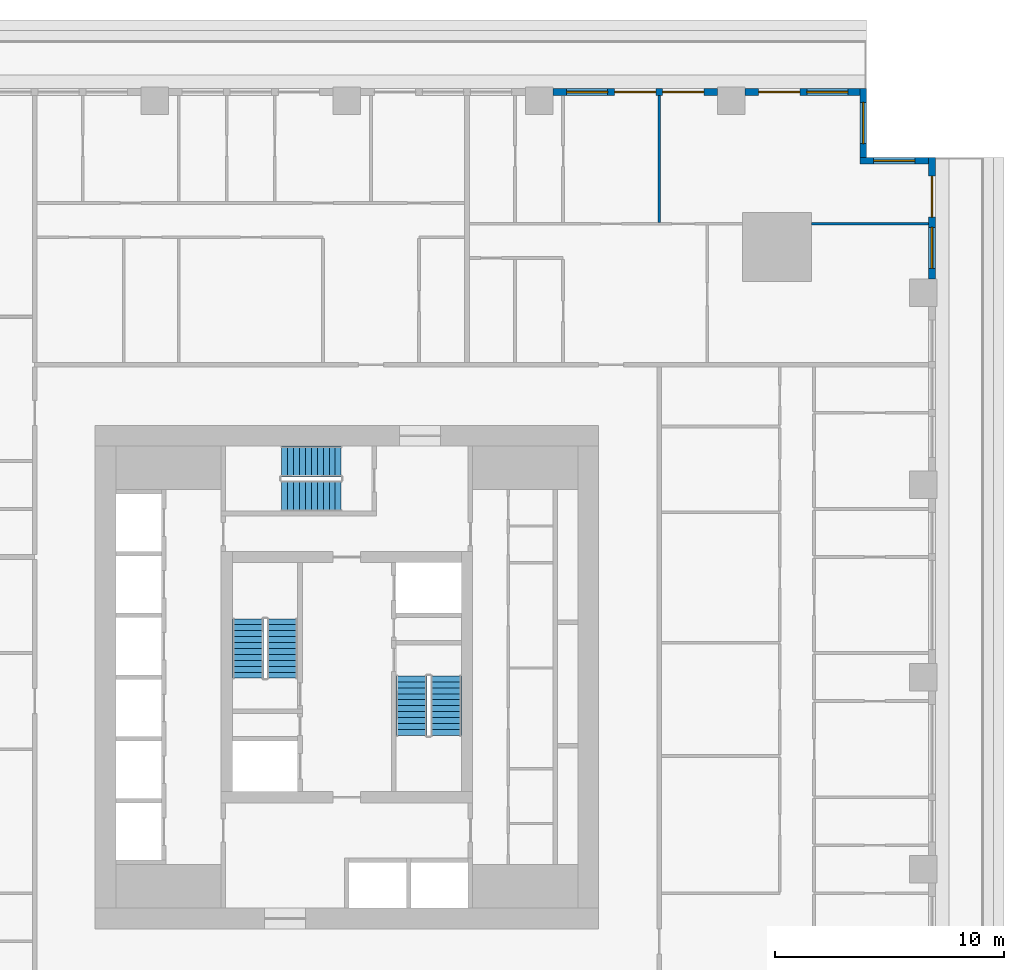
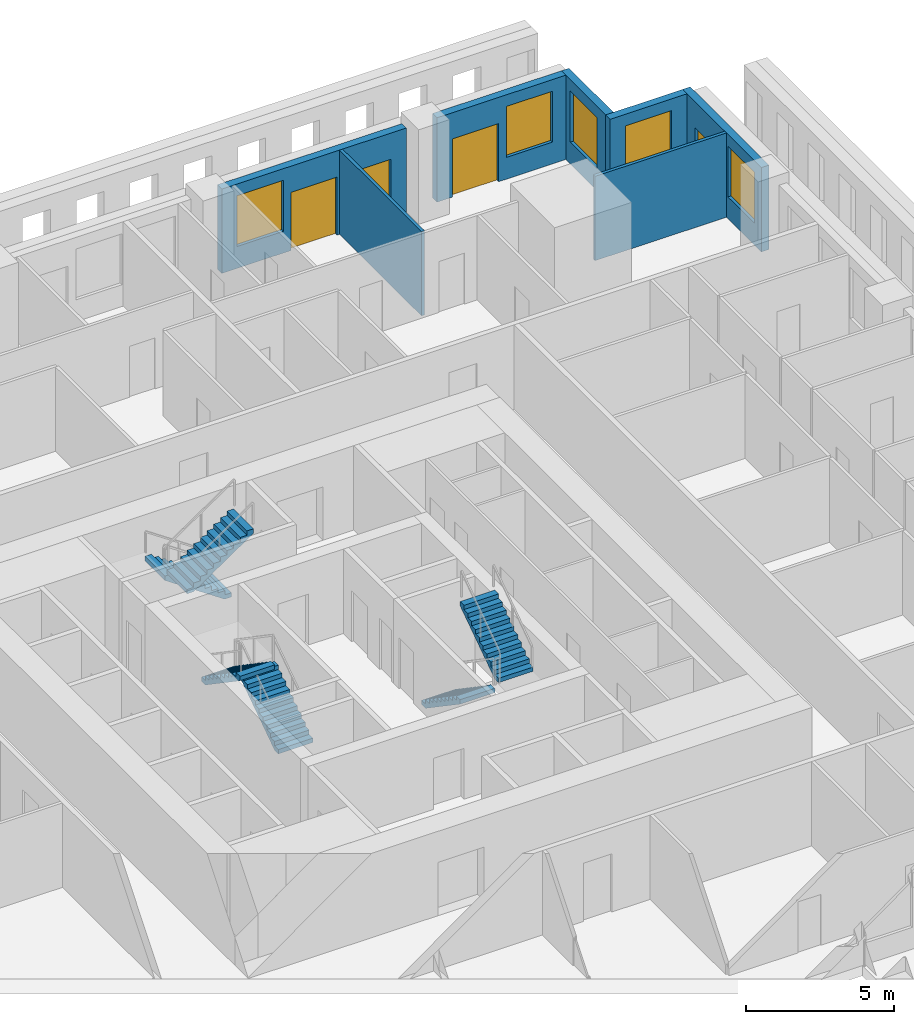
# One storey, part 10 of 15: 7 walls, 6 stair flights, 5 windows, 4 doors, 9 openings, 3 elements without a shape of their own.
"""IFC4 building model written with IfcOpenShell, lengths in metres."""

from ifc_helpers import new_model, si_unit, direction, frame, frame_2d, origin, place, context, subcontext, project, spatial, polyline, rectangle, outline, extrude, material, layer, layer_set, type_object, element, fill, aggregate, save


model = new_model("IFC4")

# Units and contexts
model_context = context("Model", 3, precision=1e-05, world=origin(), true_north=direction((0.0, 1.0)))
body_context = subcontext(model_context, "Body", "Model", "MODEL_VIEW")
ifc_project = project(units=[si_unit("LENGTHUNIT", "METRE"), si_unit("AREAUNIT", "SQUARE_METRE"), si_unit("VOLUMEUNIT", "CUBIC_METRE"), si_unit("PLANEANGLEUNIT", "RADIAN"), si_unit("MASSUNIT", "GRAM", prefix="KILO")], contexts=[model_context])

# Site, building, storey
site_placement = place(None, origin())
site = spatial("IfcSite", under=ifc_project, at=site_placement, CompositionType="ELEMENT")
building_placement = place(site_placement, origin())
building = spatial("IfcBuilding", under=site, at=building_placement, Name="Khepri Terraces", CompositionType="ELEMENT")
storey_placement = place(building_placement, frame((0.0, 0.0, 50.39990234375)))
storey = spatial("IfcBuildingStorey", under=building, at=storey_placement, Name="L11", CompositionType="ELEMENT", Elevation=50.39990234375)

# Wall, openings, door, window
ifc_material_1 = material(Name="Precast concrete C50/60 warm stone", Category="masonry")
ifc_layer_1 = layer(ifc_material_1, 0.300048828125, Name="Precast concrete C50/60 warm stone", Category="masonry")
ifc_layer_set_1 = layer_set([ifc_layer_1], Name="Precast concrete C50/60 warm stone")
wall_type_1 = type_object("IfcWallType", Name="WL-EXT-PRECAST-300", PredefinedType="STANDARD", material=ifc_layer_set_1)
wall_1_placement = place(storey_placement, frame((25.570068359375, 17.39990234375, 0.0), z_axis=(0.0, 0.0, 1.0), x_axis=(0.0, 1.0, 0.0)))
wall_1 = element("IfcWall", 1, at=wall_1_placement, inside=storey, type_object=wall_type_1, Name="External wall L11 E", PredefinedType="STANDARD", context=body_context, shape_type="SweptSolid", body=[
    extrude(rectangle(XDim=5.320068359375, YDim=0.300048828125, at=frame_2d((2.66015625, 0.0))), origin(), (0.0, 0.0, 1.0), 3.47998046875),
])
opening_1_placement = place(wall_1_placement, frame((2.699951171875, 0.0, 0.0)))
opening_1 = element("IfcOpeningElement", 2, at=opening_1_placement, cuts=wall_1, Name="Opening ED-L11-04", PredefinedType="OPENING", context=body_context, shape_type="SweptSolid", body=[
    extrude(rectangle(XDim=1.800048828125, YDim=2.39990234375, at=frame_2d((0.89990234375, 1.199951171875))), frame((0.0, 0.16015625, 0.0), z_axis=(0.0, -1.0, 0.0), x_axis=(1.0, 0.0, 0.0)), (0.0, 0.0, 1.0), 0.320068359375),
])
opening_2_placement = place(wall_1_placement, frame((0.4599609375, 0.0, 0.89990234375)))
opening_2 = element("IfcOpeningElement", 3, at=opening_2_placement, cuts=wall_1, Name="Opening W1", PredefinedType="OPENING", context=body_context, shape_type="SweptSolid", body=[
    extrude(rectangle(XDim=1.800048828125, YDim=2.10009765625, at=frame_2d((0.89990234375, 1.050048828125))), frame((0.0, 0.16015625, 0.0), z_axis=(0.0, -1.0, 0.0), x_axis=(1.0, 0.0, 0.0)), (0.0, 0.0, 1.0), 0.320068359375),
])
ifc_material_2 = material(Name="Anodised aluminium bronze glazed door", Category="aluminium")
door_type = type_object("IfcDoorType", Name="DR-BAL-SLIDE-1800x2400", OperationType="NOTDEFINED", PredefinedType="DOOR", material=ifc_material_2)
door_1_placement = place(opening_1_placement, origin())
door_1 = element("IfcDoor", 4, at=door_1_placement, inside=storey, type_object=door_type, Name="Balcony door L11 E", OperationType="SLIDING_TO_LEFT", OverallHeight=2.39990234375, OverallWidth=1.800048828125, PredefinedType="DOOR", context=body_context, shape_type="SweptSolid", body=[
    extrude(rectangle(XDim=1.800048828125, YDim=2.39990234375, at=frame_2d((0.89990234375, 1.199951171875))), frame((0.0, 0.02490234375, 0.0), z_axis=(0.0, -1.0, 0.0), x_axis=(1.0, 0.0, 0.0)), (0.0, 0.0, 1.0), 0.050048828125),
])
fill(opening_1, door_1)
ifc_material_3 = material(Name="Clear glass", Category="glass")
window_type = type_object("IfcWindowType", Name="WIN-RES-1800x2100", PartitioningType="SINGLE_PANEL", PredefinedType="WINDOW", material=ifc_material_3)
window_1_placement = place(opening_2_placement, origin())
window_1 = element("IfcWindow", 5, at=window_1_placement, inside=storey, type_object=window_type, Name="Window L11 E", OverallHeight=2.10009765625, OverallWidth=1.800048828125, PartitioningType="SINGLE_PANEL", PredefinedType="WINDOW", context=body_context, shape_type="SweptSolid", body=[
    extrude(rectangle(XDim=1.800048828125, YDim=2.10009765625, at=frame_2d((0.89990234375, 1.050048828125))), frame((0.0, 0.030029296875, 0.0), z_axis=(0.0, -1.0, 0.0), x_axis=(1.0, 0.0, 0.0)), (0.0, 0.0, 1.0), 0.06005859375),
])
fill(opening_2, window_1)

# Wall, opening, window
wall_2_placement = place(storey_placement, frame((25.419921875, 22.570068359375, 0.0), z_axis=(0.0, 0.0, 1.0), x_axis=(-1.0, 0.0, 0.0)))
wall_2 = element("IfcWall", 6, at=wall_2_placement, inside=storey, type_object=wall_type_1, Name="External wall L11 N", PredefinedType="STANDARD", context=body_context, shape_type="SweptSolid", body=[
    extrude(rectangle(XDim=3.0, YDim=0.300048828125, at=frame_2d((1.5, 0.0))), origin(), (0.0, 0.0, 1.0), 3.47998046875),
])
opening_3_placement = place(wall_2_placement, frame((0.60009765625, 0.0, 0.89990234375)))
opening_3 = element("IfcOpeningElement", 7, at=opening_3_placement, cuts=wall_2, Name="Opening W1", PredefinedType="OPENING", context=body_context, shape_type="SweptSolid", body=[
    extrude(rectangle(XDim=1.800048828125, YDim=2.10009765625, at=frame_2d((0.89990234375, 1.050048828125))), frame((0.0, 0.16015625, 0.0), z_axis=(0.0, -1.0, 0.0), x_axis=(1.0, 0.0, 0.0)), (0.0, 0.0, 1.0), 0.320068359375),
])
window_2_placement = place(opening_3_placement, origin())
window_2 = element("IfcWindow", 8, at=window_2_placement, inside=storey, type_object=window_type, Name="Window L11 N", OverallHeight=2.10009765625, OverallWidth=1.800048828125, PartitioningType="SINGLE_PANEL", PredefinedType="WINDOW", context=body_context, shape_type="SweptSolid", body=[
    extrude(rectangle(XDim=1.800048828125, YDim=2.10009765625, at=frame_2d((0.89990234375, 1.050048828125))), frame((0.0, 0.030029296875, 0.0), z_axis=(0.0, -1.0, 0.0), x_axis=(1.0, 0.0, 0.0)), (0.0, 0.0, 1.0), 0.06005859375),
])
fill(opening_3, window_2)

wall_3_placement = place(storey_placement, frame((22.570068359375, 22.719970703125, 0.0), z_axis=(0.0, 0.0, 1.0), x_axis=(0.0, 1.0, 0.0)))
wall_3 = element("IfcWall", 9, at=wall_3_placement, inside=storey, type_object=wall_type_1, Name="External wall L11 E", PredefinedType="STANDARD", context=body_context, shape_type="SweptSolid", body=[
    extrude(rectangle(XDim=3.0, YDim=0.300048828125, at=frame_2d((1.5, 0.0))), origin(), (0.0, 0.0, 1.0), 3.47998046875),
])
opening_4_placement = place(wall_3_placement, frame((0.60009765625, 0.0, 0.89990234375)))
opening_4 = element("IfcOpeningElement", 10, at=opening_4_placement, cuts=wall_3, Name="Opening W1", PredefinedType="OPENING", context=body_context, shape_type="SweptSolid", body=[
    extrude(rectangle(XDim=1.800048828125, YDim=2.10009765625, at=frame_2d((0.89990234375, 1.050048828125))), frame((0.0, 0.16015625, 0.0), z_axis=(0.0, -1.0, 0.0), x_axis=(1.0, 0.0, 0.0)), (0.0, 0.0, 1.0), 0.320068359375),
])
window_3_placement = place(opening_4_placement, origin())
window_3 = element("IfcWindow", 11, at=window_3_placement, inside=storey, type_object=window_type, Name="Window L11 E", OverallHeight=2.10009765625, OverallWidth=1.800048828125, PartitioningType="SINGLE_PANEL", PredefinedType="WINDOW", context=body_context, shape_type="SweptSolid", body=[
    extrude(rectangle(XDim=1.800048828125, YDim=2.10009765625, at=frame_2d((0.89990234375, 1.050048828125))), frame((0.0, 0.030029296875, 0.0), z_axis=(0.0, -1.0, 0.0), x_axis=(1.0, 0.0, 0.0)), (0.0, 0.0, 1.0), 0.06005859375),
])
fill(opening_4, window_3)

# Wall, openings, door, window
wall_4_placement = place(storey_placement, frame((22.419921875, 25.570068359375, 0.0), z_axis=(0.0, 0.0, 1.0), x_axis=(-1.0, 0.0, 0.0)))
wall_4 = element("IfcWall", 12, at=wall_4_placement, inside=storey, type_object=wall_type_1, Name="External wall L11 N", PredefinedType="STANDARD", context=body_context, shape_type="SweptSolid", body=[
    extrude(rectangle(XDim=5.02001953125, YDim=0.300048828125, at=frame_2d((2.510009765625, 0.0))), origin(), (0.0, 0.0, 1.0), 3.47998046875),
])
opening_5_placement = place(wall_4_placement, frame((0.52001953125, 0.0, 0.89990234375)))
opening_5 = element("IfcOpeningElement", 13, at=opening_5_placement, cuts=wall_4, Name="Opening W1", PredefinedType="OPENING", context=body_context, shape_type="SweptSolid", body=[
    extrude(rectangle(XDim=1.800048828125, YDim=2.10009765625, at=frame_2d((0.89990234375, 1.050048828125))), frame((0.0, 0.16015625, 0.0), z_axis=(0.0, -1.0, 0.0), x_axis=(1.0, 0.0, 0.0)), (0.0, 0.0, 1.0), 0.320068359375),
])
opening_6_placement = place(wall_4_placement, frame((2.6201171875, 0.0, 0.0)))
opening_6 = element("IfcOpeningElement", 14, at=opening_6_placement, cuts=wall_4, Name="Opening ED-L11-05", PredefinedType="OPENING", context=body_context, shape_type="SweptSolid", body=[
    extrude(rectangle(XDim=1.800048828125, YDim=2.39990234375, at=frame_2d((0.89990234375, 1.199951171875))), frame((0.0, 0.16015625, 0.0), z_axis=(0.0, -1.0, 0.0), x_axis=(1.0, 0.0, 0.0)), (0.0, 0.0, 1.0), 0.320068359375),
])
door_2_placement = place(opening_6_placement, origin())
door_2 = element("IfcDoor", 15, at=door_2_placement, inside=storey, type_object=door_type, Name="Balcony door L11 N", OperationType="SLIDING_TO_RIGHT", OverallHeight=2.39990234375, OverallWidth=1.800048828125, PredefinedType="DOOR", context=body_context, shape_type="SweptSolid", body=[
    extrude(rectangle(XDim=1.800048828125, YDim=2.39990234375, at=frame_2d((0.89990234375, 1.199951171875))), frame((0.0, 0.02490234375, 0.0), z_axis=(0.0, -1.0, 0.0), x_axis=(1.0, 0.0, 0.0)), (0.0, 0.0, 1.0), 0.050048828125),
])
fill(opening_6, door_2)
window_4_placement = place(opening_5_placement, origin())
window_4 = element("IfcWindow", 16, at=window_4_placement, inside=storey, type_object=window_type, Name="Window L11 N", OverallHeight=2.10009765625, OverallWidth=1.800048828125, PartitioningType="SINGLE_PANEL", PredefinedType="WINDOW", context=body_context, shape_type="SweptSolid", body=[
    extrude(rectangle(XDim=1.800048828125, YDim=2.10009765625, at=frame_2d((0.89990234375, 1.050048828125))), frame((0.0, 0.030029296875, 0.0), z_axis=(0.0, -1.0, 0.0), x_axis=(1.0, 0.0, 0.0)), (0.0, 0.0, 1.0), 0.06005859375),
])
fill(opening_5, window_4)

# Wall, openings, doors, window
wall_5_placement = place(storey_placement, frame((16.199951171875, 25.570068359375, 0.0), z_axis=(0.0, 0.0, 1.0), x_axis=(-1.0, 0.0, 0.0)))
wall_5 = element("IfcWall", 17, at=wall_5_placement, inside=storey, type_object=wall_type_1, Name="External wall L11 N", PredefinedType="STANDARD", context=body_context, shape_type="SweptSolid", body=[
    extrude(rectangle(XDim=7.199951171875, YDim=0.300048828125, at=frame_2d((3.60009765625, 0.0))), origin(), (0.0, 0.0, 1.0), 3.47998046875),
])
opening_7_placement = place(wall_5_placement, frame((0.60009765625, 0.0, 0.0)))
opening_7 = element("IfcOpeningElement", 18, at=opening_7_placement, cuts=wall_5, Name="Opening ED-L11-06", PredefinedType="OPENING", context=body_context, shape_type="SweptSolid", body=[
    extrude(rectangle(XDim=1.800048828125, YDim=2.39990234375, at=frame_2d((0.89990234375, 1.199951171875))), frame((0.0, 0.16015625, 0.0), z_axis=(0.0, -1.0, 0.0), x_axis=(1.0, 0.0, 0.0)), (0.0, 0.0, 1.0), 0.320068359375),
])
opening_8_placement = place(wall_5_placement, frame((2.699951171875, 0.0, 0.0)))
opening_8 = element("IfcOpeningElement", 19, at=opening_8_placement, cuts=wall_5, Name="Opening ED-L11-07", PredefinedType="OPENING", context=body_context, shape_type="SweptSolid", body=[
    extrude(rectangle(XDim=1.800048828125, YDim=2.39990234375, at=frame_2d((0.89990234375, 1.199951171875))), frame((0.0, 0.16015625, 0.0), z_axis=(0.0, -1.0, 0.0), x_axis=(1.0, 0.0, 0.0)), (0.0, 0.0, 1.0), 0.320068359375),
])
opening_9_placement = place(wall_5_placement, frame((4.800048828125, 0.0, 0.89990234375)))
opening_9 = element("IfcOpeningElement", 20, at=opening_9_placement, cuts=wall_5, Name="Opening W1", PredefinedType="OPENING", context=body_context, shape_type="SweptSolid", body=[
    extrude(rectangle(XDim=1.800048828125, YDim=2.10009765625, at=frame_2d((0.89990234375, 1.050048828125))), frame((0.0, 0.16015625, 0.0), z_axis=(0.0, -1.0, 0.0), x_axis=(1.0, 0.0, 0.0)), (0.0, 0.0, 1.0), 0.320068359375),
])
door_3_placement = place(opening_7_placement, origin())
door_3 = element("IfcDoor", 21, at=door_3_placement, inside=storey, type_object=door_type, Name="Balcony door L11 N", OperationType="SLIDING_TO_LEFT", OverallHeight=2.39990234375, OverallWidth=1.800048828125, PredefinedType="DOOR", context=body_context, shape_type="SweptSolid", body=[
    extrude(rectangle(XDim=1.800048828125, YDim=2.39990234375, at=frame_2d((0.89990234375, 1.199951171875))), frame((0.0, 0.02490234375, 0.0), z_axis=(0.0, -1.0, 0.0), x_axis=(1.0, 0.0, 0.0)), (0.0, 0.0, 1.0), 0.050048828125),
])
fill(opening_7, door_3)
door_4_placement = place(opening_8_placement, origin())
door_4 = element("IfcDoor", 22, at=door_4_placement, inside=storey, type_object=door_type, Name="Balcony door L11 N", OperationType="SLIDING_TO_RIGHT", OverallHeight=2.39990234375, OverallWidth=1.800048828125, PredefinedType="DOOR", context=body_context, shape_type="SweptSolid", body=[
    extrude(rectangle(XDim=1.800048828125, YDim=2.39990234375, at=frame_2d((0.89990234375, 1.199951171875))), frame((0.0, 0.02490234375, 0.0), z_axis=(0.0, -1.0, 0.0), x_axis=(1.0, 0.0, 0.0)), (0.0, 0.0, 1.0), 0.050048828125),
])
fill(opening_8, door_4)
window_5_placement = place(opening_9_placement, origin())
window_5 = element("IfcWindow", 23, at=window_5_placement, inside=storey, type_object=window_type, Name="Window L11 N", OverallHeight=2.10009765625, OverallWidth=1.800048828125, PartitioningType="SINGLE_PANEL", PredefinedType="WINDOW", context=body_context, shape_type="SweptSolid", body=[
    extrude(rectangle(XDim=1.800048828125, YDim=2.10009765625, at=frame_2d((0.89990234375, 1.050048828125))), frame((0.0, 0.030029296875, 0.0), z_axis=(0.0, -1.0, 0.0), x_axis=(1.0, 0.0, 0.0)), (0.0, 0.0, 1.0), 0.06005859375),
])
fill(opening_9, window_5)

# Walls
ifc_material_4 = material(Name="Gypsum plasterboard partition")
ifc_layer_2 = layer(ifc_material_4, 0.1201171875, Name="Gypsum plasterboard partition")
ifc_layer_set_2 = layer_set([ifc_layer_2], Name="Gypsum plasterboard partition")
wall_type_2 = type_object("IfcWallType", Name="WL-PART-120", PredefinedType="PARTITIONING", material=ifc_layer_set_2)
wall_6_placement = place(storey_placement, frame((20.300048828125, 19.820068359375, 0.0), z_axis=(0.0, 0.0, 1.0), x_axis=(1.0, 0.0, 0.0)))
element("IfcWall", 24, at=wall_6_placement, inside=storey, type_object=wall_type_2, Name="Partition P-099 L11", PredefinedType="PARTITIONING", context=body_context, shape_type="SweptSolid", body=[
    extrude(rectangle(XDim=5.119873046875, YDim=0.1201171875, at=frame_2d((2.56005859375, 0.0))), origin(), (0.0, 0.0, 1.0), 3.47998046875),
])
wall_7_placement = place(storey_placement, frame((13.64990234375, 19.8798828125, 0.0), z_axis=(0.0, 0.0, 1.0), x_axis=(0.0, 1.0, 0.0)))
element("IfcWall", 25, at=wall_7_placement, inside=storey, type_object=wall_type_2, Name="Partition P-102 L11", PredefinedType="PARTITIONING", context=body_context, shape_type="SweptSolid", body=[
    extrude(rectangle(XDim=5.5400390625, YDim=0.1201171875, at=frame_2d((2.77001953125, 0.0))), origin(), (0.0, 0.0, 1.0), 3.47998046875),
])

# Stair, stair flights
ifc_material_5 = material(Name="Concrete C40/50", Category="concrete")
stair_type = type_object("IfcStairType", Name="STAIR-RC-22R", PredefinedType="HALF_TURN_STAIR", material=ifc_material_5)
stair_1_placement = place(storey_placement, origin())
stair_1 = element("IfcStair", 26, at=stair_1_placement, inside=storey, type_object=stair_type, Name="L11 Exit Stair ST-1", PredefinedType="HALF_TURN_STAIR")
stair_flight_type = type_object("IfcStairFlightType", Name="SFL-RC-177.3", PredefinedType="STRAIGHT", material=ifc_material_5)
stair_flight_1_placement = place(storey_placement, frame((-2.824951171875, -0.050048828125, 0.0), z_axis=(0.0, 0.0, 1.0), x_axis=(0.0, 1.0, 0.0)))
stair_flight_1 = element("IfcStairFlight", 27, at=stair_flight_1_placement, type_object=stair_flight_type, Name="ST-1 flight 1", NumberOfRisers=11, NumberOfTreads=10, PredefinedType="STRAIGHT", RiserHeight=0.177272727, TreadLength=0.26, context=body_context, shape_type="SweptSolid", body=[
    extrude(outline(polyline([(0.0, 0.0), (0.0, 0.17724609375), (0.260009765625, 0.17724609375), (0.260009765625, 0.3544921875), (0.52001953125, 0.3544921875), (0.52001953125, 0.53173828125), (0.780029296875, 0.53173828125), (0.780029296875, 0.708984375), (1.0400390625, 0.708984375), (1.0400390625, 0.886474609375), (1.300048828125, 0.886474609375), (1.300048828125, 1.063720703125), (1.56005859375, 1.063720703125), (1.56005859375, 1.240966796875), (1.820068359375, 1.240966796875), (1.820068359375, 1.418212890625), (2.080078125, 1.418212890625), (2.080078125, 1.595458984375), (2.340087890625, 1.595458984375), (2.340087890625, 1.772705078125), (2.60009765625, 1.772705078125), (2.60009765625, 1.949951171875), (2.60009765625, 1.59130859375), (0.26611328125, 0.0), (0.0, 0.0)])), frame((0.0, 0.675048828125, 0.0), z_axis=(0.0, -1.0, 0.0), x_axis=(1.0, 0.0, 0.0)), (0.0, 0.0, 1.0), 1.35009765625),
])
stair_flight_2_placement = place(storey_placement, frame((-4.324951171875, 2.550048828125, 1.9501953125), z_axis=(0.0, 0.0, 1.0), x_axis=(0.0, -1.0, 0.0)))
stair_flight_2 = element("IfcStairFlight", 28, at=stair_flight_2_placement, type_object=stair_flight_type, Name="ST-1 flight 2", NumberOfRisers=11, NumberOfTreads=10, PredefinedType="STRAIGHT", RiserHeight=0.177272727, TreadLength=0.26, context=body_context, shape_type="SweptSolid", body=[
    extrude(outline(polyline([(0.0, 0.0), (0.0, 0.17724609375), (0.260009765625, 0.17724609375), (0.260009765625, 0.3544921875), (0.52001953125, 0.3544921875), (0.52001953125, 0.53173828125), (0.780029296875, 0.53173828125), (0.780029296875, 0.708984375), (1.0400390625, 0.708984375), (1.0400390625, 0.886474609375), (1.300048828125, 0.886474609375), (1.300048828125, 1.063720703125), (1.56005859375, 1.063720703125), (1.56005859375, 1.240966796875), (1.820068359375, 1.240966796875), (1.820068359375, 1.418212890625), (2.080078125, 1.418212890625), (2.080078125, 1.595458984375), (2.340087890625, 1.595458984375), (2.340087890625, 1.772705078125), (2.60009765625, 1.772705078125), (2.60009765625, 1.949951171875), (2.60009765625, 1.59130859375), (0.26611328125, 0.0), (0.0, 0.0)])), frame((0.0, 0.675048828125, 0.0), z_axis=(0.0, -1.0, 0.0), x_axis=(1.0, 0.0, 0.0)), (0.0, 0.0, 1.0), 1.35009765625),
])
aggregate(stair_1, [stair_flight_1, stair_flight_2])

stair_2_placement = place(storey_placement, origin())
stair_2 = element("IfcStair", 29, at=stair_2_placement, inside=storey, type_object=stair_type, Name="L11 Exit Stair ST-2", PredefinedType="HALF_TURN_STAIR")
stair_flight_3_placement = place(storey_placement, frame((2.824951171875, 0.050048828125, 0.0), z_axis=(0.0, 0.0, 1.0), x_axis=(0.0, -1.0, 0.0)))
stair_flight_3 = element("IfcStairFlight", 30, at=stair_flight_3_placement, type_object=stair_flight_type, Name="ST-2 flight 1", NumberOfRisers=11, NumberOfTreads=10, PredefinedType="STRAIGHT", RiserHeight=0.177272727, TreadLength=0.26, context=body_context, shape_type="SweptSolid", body=[
    extrude(outline(polyline([(0.0, 0.0), (0.0, 0.17724609375), (0.260009765625, 0.17724609375), (0.260009765625, 0.3544921875), (0.52001953125, 0.3544921875), (0.52001953125, 0.53173828125), (0.780029296875, 0.53173828125), (0.780029296875, 0.708984375), (1.0400390625, 0.708984375), (1.0400390625, 0.886474609375), (1.300048828125, 0.886474609375), (1.300048828125, 1.063720703125), (1.56005859375, 1.063720703125), (1.56005859375, 1.240966796875), (1.820068359375, 1.240966796875), (1.820068359375, 1.418212890625), (2.080078125, 1.418212890625), (2.080078125, 1.595458984375), (2.340087890625, 1.595458984375), (2.340087890625, 1.772705078125), (2.60009765625, 1.772705078125), (2.60009765625, 1.949951171875), (2.60009765625, 1.59130859375), (0.26611328125, 0.0), (0.0, 0.0)])), frame((0.0, 0.675048828125, 0.0), z_axis=(0.0, -1.0, 0.0), x_axis=(1.0, 0.0, 0.0)), (0.0, 0.0, 1.0), 1.35009765625),
])
stair_flight_4_placement = place(storey_placement, frame((4.324951171875, -2.550048828125, 1.9501953125), z_axis=(0.0, 0.0, 1.0), x_axis=(0.0, 1.0, 0.0)))
stair_flight_4 = element("IfcStairFlight", 31, at=stair_flight_4_placement, type_object=stair_flight_type, Name="ST-2 flight 2", NumberOfRisers=11, NumberOfTreads=10, PredefinedType="STRAIGHT", RiserHeight=0.177272727, TreadLength=0.26, context=body_context, shape_type="SweptSolid", body=[
    extrude(outline(polyline([(0.0, 0.0), (0.0, 0.17724609375), (0.260009765625, 0.17724609375), (0.260009765625, 0.3544921875), (0.52001953125, 0.3544921875), (0.52001953125, 0.53173828125), (0.780029296875, 0.53173828125), (0.780029296875, 0.708984375), (1.0400390625, 0.708984375), (1.0400390625, 0.886474609375), (1.300048828125, 0.886474609375), (1.300048828125, 1.063720703125), (1.56005859375, 1.063720703125), (1.56005859375, 1.240966796875), (1.820068359375, 1.240966796875), (1.820068359375, 1.418212890625), (2.080078125, 1.418212890625), (2.080078125, 1.595458984375), (2.340087890625, 1.595458984375), (2.340087890625, 1.772705078125), (2.60009765625, 1.772705078125), (2.60009765625, 1.949951171875), (2.60009765625, 1.59130859375), (0.26611328125, 0.0), (0.0, 0.0)])), frame((0.0, 0.675048828125, 0.0), z_axis=(0.0, -1.0, 0.0), x_axis=(1.0, 0.0, 0.0)), (0.0, 0.0, 1.0), 1.35009765625),
])
aggregate(stair_2, [stair_flight_3, stair_flight_4])

stair_3_placement = place(storey_placement, origin())
stair_3 = element("IfcStair", 32, at=stair_3_placement, inside=storey, type_object=stair_type, Name="L11 Exit Stair ST-3", PredefinedType="HALF_TURN_STAIR")
stair_flight_5_placement = place(storey_placement, frame((-0.25, 9.425048828125, 0.0), z_axis=(0.0, 0.0, 1.0), x_axis=(-1.0, 0.0, 0.0)))
stair_flight_5 = element("IfcStairFlight", 33, at=stair_flight_5_placement, type_object=stair_flight_type, Name="ST-3 flight 1", NumberOfRisers=11, NumberOfTreads=10, PredefinedType="STRAIGHT", RiserHeight=0.177272727, TreadLength=0.26, context=body_context, shape_type="SweptSolid", body=[
    extrude(outline(polyline([(0.0, 0.0), (0.0, 0.17724609375), (0.260009765625, 0.17724609375), (0.260009765625, 0.3544921875), (0.52001953125, 0.3544921875), (0.52001953125, 0.53173828125), (0.780029296875, 0.53173828125), (0.780029296875, 0.708984375), (1.0400390625, 0.708984375), (1.0400390625, 0.886474609375), (1.300048828125, 0.886474609375), (1.300048828125, 1.063720703125), (1.56005859375, 1.063720703125), (1.56005859375, 1.240966796875), (1.820068359375, 1.240966796875), (1.820068359375, 1.418212890625), (2.080078125, 1.418212890625), (2.080078125, 1.595458984375), (2.340087890625, 1.595458984375), (2.340087890625, 1.772705078125), (2.60009765625, 1.772705078125), (2.60009765625, 1.949951171875), (2.60009765625, 1.59130859375), (0.26611328125, 0.0), (0.0, 0.0)])), frame((0.0, 0.675048828125, 0.0), z_axis=(0.0, -1.0, 0.0), x_axis=(1.0, 0.0, 0.0)), (0.0, 0.0, 1.0), 1.35009765625),
])
stair_flight_6_placement = place(storey_placement, frame((-2.85009765625, 7.925048828125, 1.9501953125), z_axis=(0.0, 0.0, 1.0), x_axis=(1.0, 0.0, 0.0)))
stair_flight_6 = element("IfcStairFlight", 34, at=stair_flight_6_placement, type_object=stair_flight_type, Name="ST-3 flight 2", NumberOfRisers=11, NumberOfTreads=10, PredefinedType="STRAIGHT", RiserHeight=0.177272727, TreadLength=0.26, context=body_context, shape_type="SweptSolid", body=[
    extrude(outline(polyline([(0.0, 0.0), (0.0, 0.17724609375), (0.260009765625, 0.17724609375), (0.260009765625, 0.3544921875), (0.52001953125, 0.3544921875), (0.52001953125, 0.53173828125), (0.780029296875, 0.53173828125), (0.780029296875, 0.708984375), (1.0400390625, 0.708984375), (1.0400390625, 0.886474609375), (1.300048828125, 0.886474609375), (1.300048828125, 1.063720703125), (1.56005859375, 1.063720703125), (1.56005859375, 1.240966796875), (1.820068359375, 1.240966796875), (1.820068359375, 1.418212890625), (2.080078125, 1.418212890625), (2.080078125, 1.595458984375), (2.340087890625, 1.595458984375), (2.340087890625, 1.772705078125), (2.60009765625, 1.772705078125), (2.60009765625, 1.949951171875), (2.60009765625, 1.59130859375), (0.26611328125, 0.0), (0.0, 0.0)])), frame((0.0, 0.675048828125, 0.0), z_axis=(0.0, -1.0, 0.0), x_axis=(1.0, 0.0, 0.0)), (0.0, 0.0, 1.0), 1.35009765625),
])
aggregate(stair_3, [stair_flight_5, stair_flight_6])

save(model, "model.ifc")
